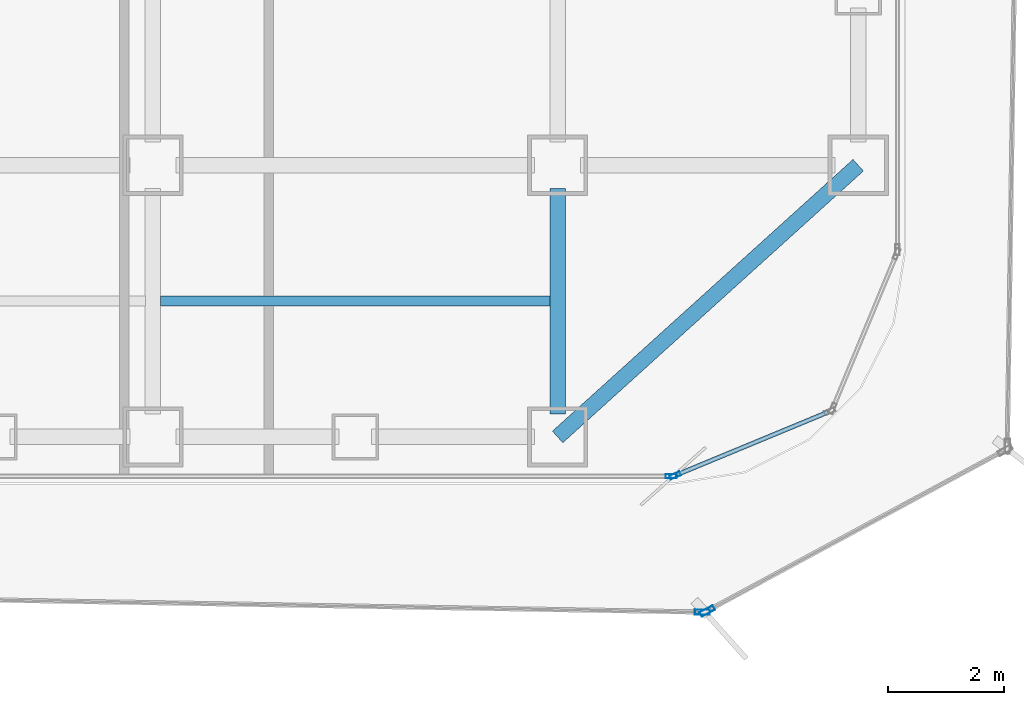
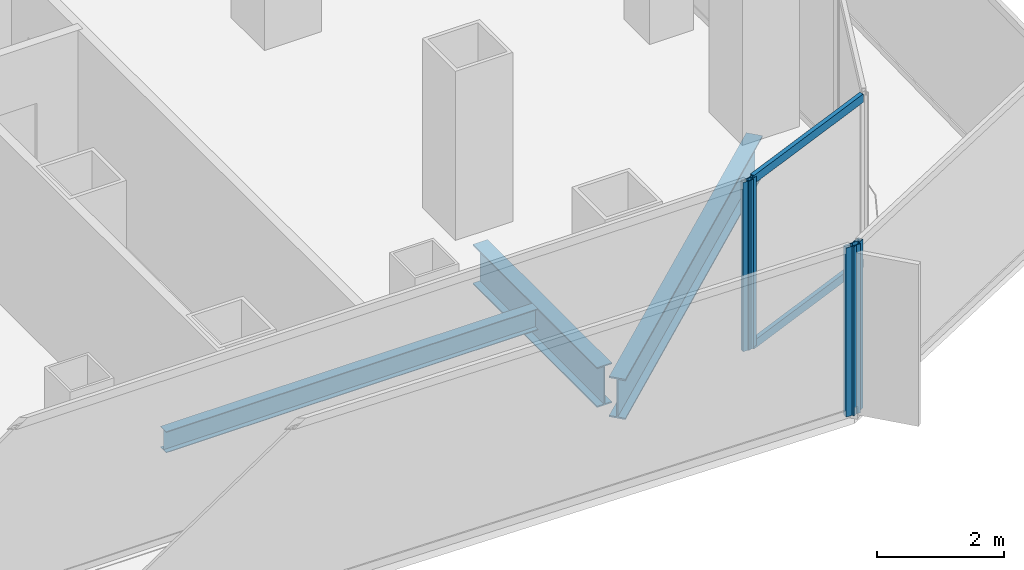
# One storey, part 6 of 22: 6 members, 3 beams, 4 elements without a shape of their own.
"""IFC4 building model written with IfcOpenShell, lengths in metres."""

from ifc_helpers import new_model, si_unit, direction, frame, origin, origin_2d, place, context, subcontext, project, spatial, hollow_rectangle, i_section, extrude, source, transform, mapped, material, layer, layer_set, material_profile, profile_set, type_object, element, aggregate, save


model = new_model("IFC4")

# Units and contexts
model_context = context("Model", 3, precision=1e-05, world=origin(), true_north=direction((0.0, 1.0)))
body_context = subcontext(model_context, "Body", "Model", "MODEL_VIEW")
ifc_project = project(units=[si_unit("LENGTHUNIT", "METRE"), si_unit("AREAUNIT", "SQUARE_METRE"), si_unit("VOLUMEUNIT", "CUBIC_METRE"), si_unit("PLANEANGLEUNIT", "RADIAN"), si_unit("MASSUNIT", "GRAM", prefix="KILO")], contexts=[model_context])

# Site, building, storey
site_placement = place(None, origin())
site = spatial("IfcSite", under=ifc_project, at=site_placement, CompositionType="ELEMENT")
building_placement = place(site_placement, origin())
building = spatial("IfcBuilding", under=site, at=building_placement, Name="Kolveth Station Tower", CompositionType="ELEMENT")
storey_placement = place(building_placement, frame((0.0, 0.0, 72.89990234375)))
storey = spatial("IfcBuildingStorey", under=building, at=storey_placement, Name="L19", CompositionType="ELEMENT", Elevation=72.89990234375)

# Beams
ifc_material_1 = material(Name="Steel S355", Category="steel")
ifc_material_profile_1 = material_profile(ifc_material_1, i_section(OverallWidth=0.26904296875, OverallDepth=0.77490234375, WebThickness=0.01708984375, FlangeThickness=0.0283203125, at=origin_2d()), Name="W760x220")
ifc_profile_set_1 = profile_set([ifc_material_profile_1], Name="Steel S355")
beam_type_1 = type_object("IfcBeamType", Name="Beam_SP1", PredefinedType="SPANDREL", material=ifc_profile_set_1)
shared_shape_1 = source(origin(), body_context, "Body", "SweptSolid", [
    extrude(i_section(OverallWidth=0.26904296875, OverallDepth=0.77490234375, WebThickness=0.01708984375, FlangeThickness=0.0283203125, at=origin_2d()), origin(), (0.0, 0.0, 1.0), 7.00927734375),
])
beam_1_placement = place(storey_placement, frame((41.0, 0.800048828125, -0.66748046875), z_axis=(0.741874009795, 0.670539300557, 0.0), x_axis=(-0.670539300557, 0.741874009795, 0.0)))
element("IfcBeam", 1, at=beam_1_placement, inside=storey, type_object=beam_type_1, Name="L19 Corner Edge Girder BM-L19-CNR-SE", PredefinedType="SPANDREL", context=body_context, shape_type="MappedRepresentation", body=[
    mapped(shared_shape_1, transform((0.0, 0.0, 0.0), x_axis=(1.0, 0.0, 0.0), y_axis=(0.0, 1.0, 0.0), z_axis=(0.0, 0.0, 1.0), scale=1.0)),
])
ifc_material_profile_2 = material_profile(ifc_material_1, i_section(OverallWidth=0.26708984375, OverallDepth=0.76611328125, WebThickness=0.014892578125, FlangeThickness=0.023681640625, at=origin_2d()), Name="W760x185")
ifc_profile_set_2 = profile_set([ifc_material_profile_2], Name="Steel S355")
beam_type_2 = type_object("IfcBeamType", Name="Beam_B3", PredefinedType="BEAM", material=ifc_profile_set_2)
shared_shape_2 = source(origin(), body_context, "Body", "SweptSolid", [
    extrude(i_section(OverallWidth=0.26708984375, OverallDepth=0.76611328125, WebThickness=0.014892578125, FlangeThickness=0.023681640625, at=origin_2d()), origin(), (0.0, 0.0, 1.0), 3.900146484375),
])
beam_2_placement = place(storey_placement, frame((41.0, 1.199951171875, -0.662841796875), z_axis=(0.0, 1.0, 0.0), x_axis=(-1.0, 0.0, 0.0)))
element("IfcBeam", 2, at=beam_2_placement, inside=storey, type_object=beam_type_2, Name="L19 Primary Girder BM-L19-GX410-1", PredefinedType="BEAM", context=body_context, shape_type="MappedRepresentation", body=[
    mapped(shared_shape_2, transform((0.0, 0.0, 0.0), x_axis=(1.0, 0.0, 0.0), y_axis=(0.0, 1.0, 0.0), z_axis=(0.0, 0.0, 1.0), scale=1.0)),
])
ifc_material_profile_3 = material_profile(ifc_material_1, i_section(OverallWidth=0.177978515625, OverallDepth=0.406982421875, WebThickness=0.0078125, FlangeThickness=0.0126953125, at=origin_2d()), Name="W410x60")
ifc_profile_set_3 = profile_set([ifc_material_profile_3], Name="Steel S355")
beam_type_3 = type_object("IfcBeamType", Name="Beam_J1", PredefinedType="JOIST", material=ifc_profile_set_3)
shared_shape_3 = source(origin(), body_context, "Body", "SweptSolid", [
    extrude(i_section(OverallWidth=0.177978515625, OverallDepth=0.406982421875, WebThickness=0.0078125, FlangeThickness=0.0126953125, at=origin_2d()), origin(), (0.0, 0.0, 1.0), 6.73681640625),
])
beam_3_placement = place(storey_placement, frame((34.131591796875, 3.14990234375, -0.4833984375), z_axis=(1.0, 0.0, 0.0), x_axis=(0.0, 1.0, 0.0)))
element("IfcBeam", 3, at=beam_3_placement, inside=storey, type_object=beam_type_3, Name="L19 Secondary Joist JST-L19-6-1", PredefinedType="JOIST", context=body_context, shape_type="MappedRepresentation", body=[
    mapped(shared_shape_3, transform((0.0, 0.0, 0.0), x_axis=(1.0, 0.0, 0.0), y_axis=(0.0, 1.0, 0.0), z_axis=(0.0, 0.0, 1.0), scale=1.0)),
])

# Curtain wall, members
ifc_material_2 = material(Name="Aluminium 6063-T6 and low-E dark glass", Category="aluminium")
ifc_layer_1 = layer(ifc_material_2, 0.179931640625)
ifc_layer_set_1 = layer_set([ifc_layer_1], Name="Aluminium 6063-T6 and low-E dark glass")
curtain_wall_type_1 = type_object("IfcCurtainWallType", Name="CurtainWall_CW-Z1", PredefinedType="NOTDEFINED", material=ifc_layer_set_1)
curtain_wall_1_placement = place(storey_placement, origin())
curtain_wall_1 = element("IfcCurtainWall", 4, at=curtain_wall_1_placement, inside=storey, type_object=curtain_wall_type_1, Name="L19 Inner Thermal Curtain Wall 1", PredefinedType="NOTDEFINED")
ifc_material_3 = material(Name="Black anodized aluminium 6063-T6", Category="aluminium")
ifc_material_profile_4 = material_profile(ifc_material_3, hollow_rectangle(XDim=0.074951171875, YDim=0.159912109375, WallThickness=0.0048828125, at=origin_2d()), Name="ALU-75x160x5")
ifc_profile_set_4 = profile_set([ifc_material_profile_4], Name="Black anodized aluminium 6063-T6")
member_type_1 = type_object("IfcMemberType", Name="Transom_TR1", PredefinedType="USERDEFINED", material=ifc_profile_set_4)
shared_shape_4 = source(origin(), body_context, "Body", "SweptSolid", [
    extrude(hollow_rectangle(XDim=0.074951171875, YDim=0.159912109375, WallThickness=0.0048828125, at=origin_2d()), origin(), (0.0, 0.0, 1.0), 2.819580078125),
])
member_1_placement = place(storey_placement, frame((43.0693359375, 0.148681640625, 0.03759765625), z_axis=(0.923869084389, 0.382708655389, 0.0), x_axis=(-0.382708655389, 0.923869084389, 0.0)))
member_1 = element("IfcMember", 5, at=member_1_placement, type_object=member_type_1, Name="CW-Z1 transom 1.1", ObjectType="TRANSOM", PredefinedType="USERDEFINED", context=body_context, shape_type="MappedRepresentation", body=[
    mapped(shared_shape_4, transform((0.0, 0.0, 0.0), x_axis=(1.0, 0.0, 0.0), y_axis=(0.0, 1.0, 0.0), z_axis=(0.0, 0.0, 1.0), scale=1.0)),
])
member_2_placement = place(storey_placement, frame((43.0693359375, 0.148681640625, 3.20263671875), z_axis=(0.923869084389, 0.382708655389, 0.0), x_axis=(-0.382708655389, 0.923869084389, 0.0)))
member_2 = element("IfcMember", 6, at=member_2_placement, type_object=member_type_1, Name="CW-Z1 transom 1.2", ObjectType="TRANSOM", PredefinedType="USERDEFINED", context=body_context, shape_type="MappedRepresentation", body=[
    mapped(shared_shape_4, transform((0.0, 0.0, 0.0), x_axis=(1.0, 0.0, 0.0), y_axis=(0.0, 1.0, 0.0), z_axis=(0.0, 0.0, 1.0), scale=1.0)),
])
ifc_material_profile_5 = material_profile(ifc_material_3, hollow_rectangle(XDim=0.074951171875, YDim=0.18994140625, WallThickness=0.0048828125, at=origin_2d()), Name="ALU-75x190x5")
ifc_profile_set_5 = profile_set([ifc_material_profile_5], Name="Black anodized aluminium 6063-T6")
member_type_2 = type_object("IfcMemberType", Name="Mullion_ML1", PredefinedType="MULLION", material=ifc_profile_set_5)
shared_shape_5 = source(origin(), body_context, "Body", "SweptSolid", [
    extrude(hollow_rectangle(XDim=0.074951171875, YDim=0.18994140625, WallThickness=0.0048828125, at=origin_2d()), origin(), (0.0, 0.0, 1.0), 3.239990234375),
])
member_3_placement = place(storey_placement, frame((43.03466796875, 0.13427734375, 0.0), z_axis=(0.0, 0.0, 1.0), x_axis=(-0.382672990201, 0.923883857728, 0.0)))
member_3 = element("IfcMember", 7, at=member_3_placement, type_object=member_type_2, Name="CW-Z1 mullion 1", PredefinedType="MULLION", context=body_context, shape_type="MappedRepresentation", body=[
    mapped(shared_shape_5, transform((0.0, 0.0, 0.0), x_axis=(1.0, 0.0, 0.0), y_axis=(0.0, 1.0, 0.0), z_axis=(0.0, 0.0, 1.0), scale=1.0)),
])
aggregate(curtain_wall_1, [member_3, member_1, member_2])

# Curtain wall, member
curtain_wall_2_placement = place(storey_placement, origin())
curtain_wall_2 = element("IfcCurtainWall", 8, at=curtain_wall_2_placement, inside=storey, type_object=curtain_wall_type_1, Name="L19 Inner Thermal Curtain Wall 12", PredefinedType="NOTDEFINED")
member_4_placement = place(storey_placement, frame((42.96240234375, 0.1201171875, 0.0), z_axis=(0.0, 0.0, 1.0), x_axis=(0.0, 1.0, 0.0)))
member_4 = element("IfcMember", 9, at=member_4_placement, type_object=member_type_2, Name="CW-Z1 mullion 3", PredefinedType="MULLION", context=body_context, shape_type="MappedRepresentation", body=[
    mapped(shared_shape_5, transform((0.0, 0.0, 0.0), x_axis=(1.0, 0.0, 0.0), y_axis=(0.0, 1.0, 0.0), z_axis=(0.0, 0.0, 1.0), scale=1.0)),
])
aggregate(curtain_wall_2, [member_4])

ifc_material_4 = material(Name="Black anodized aluminium 6063-T6 and dark solar glass", Category="aluminium")
ifc_layer_2 = layer(ifc_material_4, 0.159912109375)
ifc_layer_set_2 = layer_set([ifc_layer_2], Name="Black anodized aluminium 6063-T6 and dark solar glass")
curtain_wall_type_2 = type_object("IfcCurtainWallType", Name="OUTER SKIN CW-OS", PredefinedType="NOTDEFINED", material=ifc_layer_set_2)
curtain_wall_3_placement = place(storey_placement, origin())
curtain_wall_3 = element("IfcCurtainWall", 10, at=curtain_wall_3_placement, inside=storey, type_object=curtain_wall_type_2, Name="L19 Outer Ventilated Skin Curtain Wall 1", PredefinedType="NOTDEFINED")
ifc_material_profile_6 = material_profile(ifc_material_3, hollow_rectangle(XDim=0.090087890625, YDim=0.260009765625, WallThickness=0.0048828125, at=origin_2d()), Name="ALU-90x260x5")
ifc_profile_set_6 = profile_set([ifc_material_profile_6], Name="Black anodized aluminium 6063-T6")
member_type_3 = type_object("IfcMemberType", Name="FIN MULLION ML-OS", PredefinedType="MULLION", material=ifc_profile_set_6)
shared_shape_6 = source(origin(), body_context, "Body", "SweptSolid", [
    extrude(hollow_rectangle(XDim=0.090087890625, YDim=0.260009765625, WallThickness=0.0048828125, at=origin_2d()), origin(), (0.0, 0.0, 1.0), 3.239990234375),
])
member_5_placement = place(storey_placement, frame((43.5888671875, -2.211669921875, 0.0), z_axis=(0.0, 0.0, 1.0), x_axis=(-0.474975191796, 0.879999185896, 0.0)))
member_5 = element("IfcMember", 11, at=member_5_placement, type_object=member_type_3, Name="CW-OS mullion 1", PredefinedType="MULLION", context=body_context, shape_type="MappedRepresentation", body=[
    mapped(shared_shape_6, transform((0.0, 0.0, 0.0), x_axis=(1.0, 0.0, 0.0), y_axis=(0.0, 1.0, 0.0), z_axis=(0.0, 0.0, 1.0), scale=1.0)),
])
aggregate(curtain_wall_3, [member_5])

curtain_wall_4_placement = place(storey_placement, origin())
curtain_wall_4 = element("IfcCurtainWall", 12, at=curtain_wall_4_placement, inside=storey, type_object=curtain_wall_type_2, Name="L19 Outer Ventilated Skin Curtain Wall 8", PredefinedType="NOTDEFINED")
member_6_placement = place(storey_placement, frame((43.50439453125, -2.232177734375, 0.0), z_axis=(0.0, 0.0, 1.0), x_axis=(0.017034050326, 0.999854910039, 0.0)))
member_6 = element("IfcMember", 13, at=member_6_placement, type_object=member_type_3, Name="CW-OS mullion 2", PredefinedType="MULLION", context=body_context, shape_type="MappedRepresentation", body=[
    mapped(shared_shape_6, transform((0.0, 0.0, 0.0), x_axis=(1.0, 0.0, 0.0), y_axis=(0.0, 1.0, 0.0), z_axis=(0.0, 0.0, 1.0), scale=1.0)),
])
aggregate(curtain_wall_4, [member_6])

save(model, "model.ifc")
